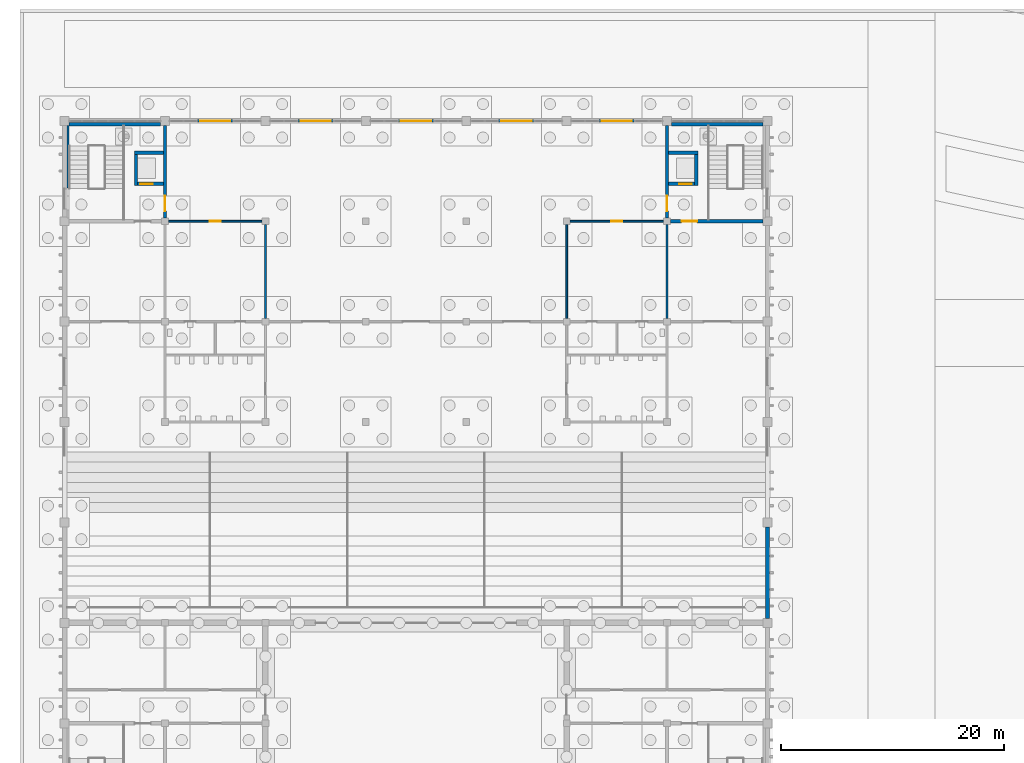
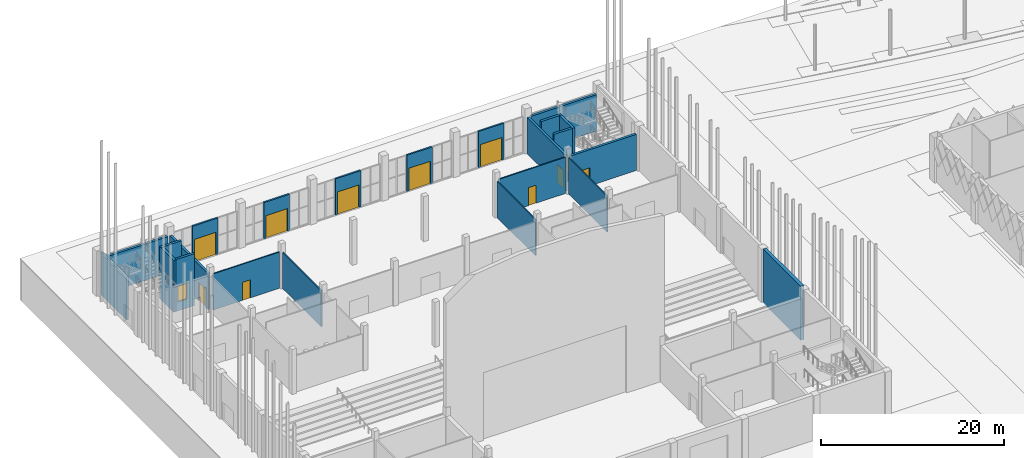
# One storey, part 92 of 198: 23 walls, 12 doors, 12 openings.
"""IFC4 building model written with IfcOpenShell, lengths in metres."""

from ifc_helpers import new_model, si_unit, direction, frame, frame_2d, origin, place, context, subcontext, project, spatial, rectangle, extrude, material, layer, layer_set, type_object, element, fill, save


model = new_model("IFC4")

# Units and contexts
model_context = context("Model", 3, precision=1e-05, world=origin(), true_north=direction((0.0, 1.0)))
body_context = subcontext(model_context, "Body", "Model", "MODEL_VIEW")
ifc_project = project(units=[si_unit("LENGTHUNIT", "METRE"), si_unit("AREAUNIT", "SQUARE_METRE"), si_unit("VOLUMEUNIT", "CUBIC_METRE"), si_unit("PLANEANGLEUNIT", "RADIAN"), si_unit("MASSUNIT", "GRAM", prefix="KILO")], contexts=[model_context])

# Site, building, storey
site_placement = place(None, origin())
site = spatial("IfcSite", under=ifc_project, at=site_placement, CompositionType="ELEMENT")
building_placement = place(site_placement, origin())
building = spatial("IfcBuilding", under=site, at=building_placement, Name="Opaline Strait Convention Centre", CompositionType="ELEMENT")
storey_placement = place(building_placement, origin())
storey = spatial("IfcBuildingStorey", under=building, at=storey_placement, Name="L00", CompositionType="ELEMENT", Elevation=0.0)

# Wall
ifc_material_1 = material(Name="Autoclaved aerated blockwork", Category="masonry")
ifc_layer_1 = layer(ifc_material_1, 0.14990234375)
ifc_layer_set_1 = layer_set([ifc_layer_1], Name="Autoclaved aerated blockwork")
wall_type_1 = type_object("IfcWallType", Name="Blockwork partition 150", PredefinedType="PARTITIONING", material=ifc_layer_set_1)
wall_1_placement = place(storey_placement, frame((27.0, 162.300048828125, 0.0), z_axis=(0.0, 0.0, 1.0), x_axis=(0.0, 1.0, 0.0)))
element("IfcWall", 1, at=wall_1_placement, inside=storey, type_object=wall_type_1, Name="PW11 L00 partition WX27C", PredefinedType="PARTITIONING", context=body_context, shape_type="SweptSolid", body=[
    extrude(rectangle(XDim=8.39990234375, YDim=0.14990234375, at=frame_2d((4.199951171875, 0.0))), origin(), (0.0, 0.0, 1.0), 4.820068359375),
])

# Wall, opening, door
wall_2_placement = place(storey_placement, frame((18.300048828125, 171.0, 0.0), z_axis=(0.0, 0.0, 1.0), x_axis=(1.0, 0.0, 0.0)))
wall_2 = element("IfcWall", 2, at=wall_2_placement, inside=storey, type_object=wall_type_1, Name="PW11 L00 partition WY171C", PredefinedType="PARTITIONING", context=body_context, shape_type="SweptSolid", body=[
    extrude(rectangle(XDim=8.39990234375, YDim=0.14990234375, at=frame_2d((4.199951171875, 0.0))), origin(), (0.0, 0.0, 1.0), 4.820068359375),
])
opening_1_placement = place(wall_2_placement, frame((3.699951171875, 0.0, 0.0)))
opening_1 = element("IfcOpeningElement", 3, at=opening_1_placement, cuts=wall_2, Name="Opening P0-041", PredefinedType="OPENING", context=body_context, shape_type="SweptSolid", body=[
    extrude(rectangle(XDim=1.0, YDim=2.39990234375, at=frame_2d((0.5, 1.199951171875))), frame((0.0, 0.0849609375, 0.0), z_axis=(0.0, -1.0, 0.0), x_axis=(1.0, 0.0, 0.0)), (0.0, 0.0, 1.0), 0.169921875),
])
ifc_material_2 = material(Name="Timber door leaf", Category="wood")
door_type_1 = type_object("IfcDoorType", Name="Door single 1000 x 2400", OperationType="NOTDEFINED", PredefinedType="DOOR", material=ifc_material_2)
door_1_placement = place(opening_1_placement, origin())
door_1 = element("IfcDoor", 4, at=door_1_placement, inside=storey, type_object=door_type_1, Name="Cloakroom door", ObjectType="PD6", OperationType="SINGLE_SWING_LEFT", OverallHeight=2.39990234375, OverallWidth=1.0, PredefinedType="DOOR", context=body_context, shape_type="SweptSolid", body=[
    extrude(rectangle(XDim=1.0, YDim=2.39990234375, at=frame_2d((0.5, 1.199951171875))), frame((0.0, 0.02490234375, 0.0), z_axis=(0.0, -1.0, 0.0), x_axis=(1.0, 0.0, 0.0)), (0.0, 0.0, 1.0), 0.050048828125),
])
fill(opening_1, door_1)

# Walls
for number, where, z_axis, x_axis, name in (
    (5, (63.0, 162.300048828125, 0.0), (0.0, 0.0, 1.0), (0.0, 1.0, 0.0), "PW11 L00 partition EX18C"),
    (6, (54.0, 162.300048828125, 0.0), (0.0, 0.0, 1.0), (0.0, 1.0, 0.0), "PW11 L00 partition EX27C"),
):
    element("IfcWall", number, at=place(storey_placement, frame(where, z_axis=z_axis, x_axis=x_axis)), inside=storey, type_object=wall_type_1, Name=name, PredefinedType="PARTITIONING", context=body_context, shape_type="SweptSolid", body=[
        extrude(rectangle(XDim=8.39990234375, YDim=0.14990234375, at=frame_2d((4.199951171875, 0.0))), origin(), (0.0, 0.0, 1.0), 4.820068359375),
    ])

# Wall, opening, door
wall_3_placement = place(storey_placement, frame((62.699951171875, 171.0, 0.0), z_axis=(0.0, 0.0, 1.0), x_axis=(-1.0, 0.0, 0.0)))
wall_3 = element("IfcWall", 7, at=wall_3_placement, inside=storey, type_object=wall_type_1, Name="PW11 L00 partition EY171C", PredefinedType="PARTITIONING", context=body_context, shape_type="SweptSolid", body=[
    extrude(rectangle(XDim=8.39990234375, YDim=0.14990234375, at=frame_2d((4.199951171875, 0.0))), origin(), (0.0, 0.0, 1.0), 4.820068359375),
])
opening_2_placement = place(wall_3_placement, frame((3.699951171875, 0.0, 0.0)))
opening_2 = element("IfcOpeningElement", 8, at=opening_2_placement, cuts=wall_3, Name="Opening P0-043", PredefinedType="OPENING", context=body_context, shape_type="SweptSolid", body=[
    extrude(rectangle(XDim=1.0, YDim=2.39990234375, at=frame_2d((0.5, 1.199951171875))), frame((0.0, 0.0849609375, 0.0), z_axis=(0.0, -1.0, 0.0), x_axis=(1.0, 0.0, 0.0)), (0.0, 0.0, 1.0), 0.169921875),
])
door_2_placement = place(opening_2_placement, origin())
door_2 = element("IfcDoor", 9, at=door_2_placement, inside=storey, type_object=door_type_1, Name="Cloakroom door", ObjectType="PD6", OperationType="SINGLE_SWING_LEFT", OverallHeight=2.39990234375, OverallWidth=1.0, PredefinedType="DOOR", context=body_context, shape_type="SweptSolid", body=[
    extrude(rectangle(XDim=1.0, YDim=2.39990234375, at=frame_2d((0.5, 1.199951171875))), frame((0.0, 0.02490234375, 0.0), z_axis=(0.0, -1.0, 0.0), x_axis=(1.0, 0.0, 0.0)), (0.0, 0.0, 1.0), 0.050048828125),
])
fill(opening_2, door_2)

ifc_material_3 = material(Name="Aluminium framed glazing", Category="aluminium")
ifc_layer_2 = layer(ifc_material_3, 0.199951171875)
ifc_layer_set_2 = layer_set([ifc_layer_2], Name="Aluminium framed glazing")
wall_type_2 = type_object("IfcWallType", Name="Glazed entrance screen 200", PredefinedType="STANDARD", material=ifc_layer_set_2)
wall_4_placement = place(storey_placement, frame((20.89990234375, 180.0, 0.0), z_axis=(0.0, 0.0, 1.0), x_axis=(1.0, 0.0, 0.0)))
wall_4 = element("IfcWall", 10, at=wall_4_placement, inside=storey, type_object=wall_type_2, Name="PW9 glazed entrance screen 2", PredefinedType="STANDARD", context=body_context, shape_type="SweptSolid", body=[
    extrude(rectangle(XDim=3.2001953125, YDim=0.199951171875, at=frame_2d((1.60009765625, 0.0))), origin(), (0.0, 0.0, 1.0), 4.820068359375),
])
opening_3_placement = place(wall_4_placement, frame((0.25, 0.0, 0.0)))
opening_3 = element("IfcOpeningElement", 11, at=opening_3_placement, cuts=wall_4, Name="Opening P0-012", PredefinedType="OPENING", context=body_context, shape_type="SweptSolid", body=[
    extrude(rectangle(XDim=2.699951171875, YDim=3.0, at=frame_2d((1.35009765625, 1.5))), frame((0.0, 0.10986328125, 0.0), z_axis=(0.0, -1.0, 0.0), x_axis=(1.0, 0.0, 0.0)), (0.0, 0.0, 1.0), 0.219970703125),
])
ifc_material_4 = material(Name="Aluminium framed glazed door", Category="aluminium")
door_type_2 = type_object("IfcDoorType", Name="Exit double door 2700 x 3000", OperationType="DOUBLE_DOOR_SINGLE_SWING", PredefinedType="DOOR", material=ifc_material_4)
door_3_placement = place(opening_3_placement, origin())
door_3 = element("IfcDoor", 12, at=door_3_placement, inside=storey, type_object=door_type_2, Name="North entrance 2", ObjectType="PD1", OperationType="DOUBLE_DOOR_SINGLE_SWING", OverallHeight=3.0, OverallWidth=2.699951171875, PredefinedType="DOOR", context=body_context, shape_type="SweptSolid", body=[
    extrude(rectangle(XDim=2.699951171875, YDim=3.0, at=frame_2d((1.35009765625, 1.5))), frame((0.0, 0.02490234375, 0.0), z_axis=(0.0, -1.0, 0.0), x_axis=(1.0, 0.0, 0.0)), (0.0, 0.0, 1.0), 0.050048828125),
])
fill(opening_3, door_3)

wall_5_placement = place(storey_placement, frame((29.89990234375, 180.0, 0.0), z_axis=(0.0, 0.0, 1.0), x_axis=(1.0, 0.0, 0.0)))
wall_5 = element("IfcWall", 13, at=wall_5_placement, inside=storey, type_object=wall_type_2, Name="PW9 glazed entrance screen 3", PredefinedType="STANDARD", context=body_context, shape_type="SweptSolid", body=[
    extrude(rectangle(XDim=3.2001953125, YDim=0.199951171875, at=frame_2d((1.60009765625, 0.0))), origin(), (0.0, 0.0, 1.0), 4.820068359375),
])
opening_4_placement = place(wall_5_placement, frame((0.25, 0.0, 0.0)))
opening_4 = element("IfcOpeningElement", 14, at=opening_4_placement, cuts=wall_5, Name="Opening P0-013", PredefinedType="OPENING", context=body_context, shape_type="SweptSolid", body=[
    extrude(rectangle(XDim=2.699951171875, YDim=3.0, at=frame_2d((1.35009765625, 1.5))), frame((0.0, 0.10986328125, 0.0), z_axis=(0.0, -1.0, 0.0), x_axis=(1.0, 0.0, 0.0)), (0.0, 0.0, 1.0), 0.219970703125),
])
door_4_placement = place(opening_4_placement, origin())
door_4 = element("IfcDoor", 15, at=door_4_placement, inside=storey, type_object=door_type_2, Name="North entrance 3", ObjectType="PD1", OperationType="DOUBLE_DOOR_SINGLE_SWING", OverallHeight=3.0, OverallWidth=2.699951171875, PredefinedType="DOOR", context=body_context, shape_type="SweptSolid", body=[
    extrude(rectangle(XDim=2.699951171875, YDim=3.0, at=frame_2d((1.35009765625, 1.5))), frame((0.0, 0.02490234375, 0.0), z_axis=(0.0, -1.0, 0.0), x_axis=(1.0, 0.0, 0.0)), (0.0, 0.0, 1.0), 0.050048828125),
])
fill(opening_4, door_4)

wall_6_placement = place(storey_placement, frame((38.89990234375, 180.0, 0.0), z_axis=(0.0, 0.0, 1.0), x_axis=(1.0, 0.0, 0.0)))
wall_6 = element("IfcWall", 16, at=wall_6_placement, inside=storey, type_object=wall_type_2, Name="PW9 glazed entrance screen 4", PredefinedType="STANDARD", context=body_context, shape_type="SweptSolid", body=[
    extrude(rectangle(XDim=3.2001953125, YDim=0.199951171875, at=frame_2d((1.60009765625, 0.0))), origin(), (0.0, 0.0, 1.0), 4.820068359375),
])
opening_5_placement = place(wall_6_placement, frame((0.25, 0.0, 0.0)))
opening_5 = element("IfcOpeningElement", 17, at=opening_5_placement, cuts=wall_6, Name="Opening P0-014", PredefinedType="OPENING", context=body_context, shape_type="SweptSolid", body=[
    extrude(rectangle(XDim=2.699951171875, YDim=3.0, at=frame_2d((1.35009765625, 1.5))), frame((0.0, 0.10986328125, 0.0), z_axis=(0.0, -1.0, 0.0), x_axis=(1.0, 0.0, 0.0)), (0.0, 0.0, 1.0), 0.219970703125),
])
door_5_placement = place(opening_5_placement, origin())
door_5 = element("IfcDoor", 18, at=door_5_placement, inside=storey, type_object=door_type_2, Name="North entrance 4", ObjectType="PD1", OperationType="DOUBLE_DOOR_SINGLE_SWING", OverallHeight=3.0, OverallWidth=2.699951171875, PredefinedType="DOOR", context=body_context, shape_type="SweptSolid", body=[
    extrude(rectangle(XDim=2.699951171875, YDim=3.0, at=frame_2d((1.35009765625, 1.5))), frame((0.0, 0.02490234375, 0.0), z_axis=(0.0, -1.0, 0.0), x_axis=(1.0, 0.0, 0.0)), (0.0, 0.0, 1.0), 0.050048828125),
])
fill(opening_5, door_5)

wall_7_placement = place(storey_placement, frame((47.89990234375, 180.0, 0.0), z_axis=(0.0, 0.0, 1.0), x_axis=(1.0, 0.0, 0.0)))
wall_7 = element("IfcWall", 19, at=wall_7_placement, inside=storey, type_object=wall_type_2, Name="PW9 glazed entrance screen 5", PredefinedType="STANDARD", context=body_context, shape_type="SweptSolid", body=[
    extrude(rectangle(XDim=3.2001953125, YDim=0.199951171875, at=frame_2d((1.60009765625, 0.0))), origin(), (0.0, 0.0, 1.0), 4.820068359375),
])
opening_6_placement = place(wall_7_placement, frame((0.25, 0.0, 0.0)))
opening_6 = element("IfcOpeningElement", 20, at=opening_6_placement, cuts=wall_7, Name="Opening P0-015", PredefinedType="OPENING", context=body_context, shape_type="SweptSolid", body=[
    extrude(rectangle(XDim=2.699951171875, YDim=3.0, at=frame_2d((1.35009765625, 1.5))), frame((0.0, 0.10986328125, 0.0), z_axis=(0.0, -1.0, 0.0), x_axis=(1.0, 0.0, 0.0)), (0.0, 0.0, 1.0), 0.219970703125),
])
door_6_placement = place(opening_6_placement, origin())
door_6 = element("IfcDoor", 21, at=door_6_placement, inside=storey, type_object=door_type_2, Name="North entrance 5", ObjectType="PD1", OperationType="DOUBLE_DOOR_SINGLE_SWING", OverallHeight=3.0, OverallWidth=2.699951171875, PredefinedType="DOOR", context=body_context, shape_type="SweptSolid", body=[
    extrude(rectangle(XDim=2.699951171875, YDim=3.0, at=frame_2d((1.35009765625, 1.5))), frame((0.0, 0.02490234375, 0.0), z_axis=(0.0, -1.0, 0.0), x_axis=(1.0, 0.0, 0.0)), (0.0, 0.0, 1.0), 0.050048828125),
])
fill(opening_6, door_6)

wall_8_placement = place(storey_placement, frame((56.89990234375, 180.0, 0.0), z_axis=(0.0, 0.0, 1.0), x_axis=(1.0, 0.0, 0.0)))
wall_8 = element("IfcWall", 22, at=wall_8_placement, inside=storey, type_object=wall_type_2, Name="PW9 glazed entrance screen 6", PredefinedType="STANDARD", context=body_context, shape_type="SweptSolid", body=[
    extrude(rectangle(XDim=3.2001953125, YDim=0.199951171875, at=frame_2d((1.60009765625, 0.0))), origin(), (0.0, 0.0, 1.0), 4.820068359375),
])
opening_7_placement = place(wall_8_placement, frame((0.25, 0.0, 0.0)))
opening_7 = element("IfcOpeningElement", 23, at=opening_7_placement, cuts=wall_8, Name="Opening P0-016", PredefinedType="OPENING", context=body_context, shape_type="SweptSolid", body=[
    extrude(rectangle(XDim=2.699951171875, YDim=3.0, at=frame_2d((1.35009765625, 1.5))), frame((0.0, 0.10986328125, 0.0), z_axis=(0.0, -1.0, 0.0), x_axis=(1.0, 0.0, 0.0)), (0.0, 0.0, 1.0), 0.219970703125),
])
door_7_placement = place(opening_7_placement, origin())
door_7 = element("IfcDoor", 24, at=door_7_placement, inside=storey, type_object=door_type_2, Name="North entrance 6", ObjectType="PD1", OperationType="DOUBLE_DOOR_SINGLE_SWING", OverallHeight=3.0, OverallWidth=2.699951171875, PredefinedType="DOOR", context=body_context, shape_type="SweptSolid", body=[
    extrude(rectangle(XDim=2.699951171875, YDim=3.0, at=frame_2d((1.35009765625, 1.5))), frame((0.0, 0.02490234375, 0.0), z_axis=(0.0, -1.0, 0.0), x_axis=(1.0, 0.0, 0.0)), (0.0, 0.0, 1.0), 0.050048828125),
])
fill(opening_7, door_7)

# Wall
ifc_material_5 = material(Name="Concrete C40", Category="concrete")
ifc_layer_3 = layer(ifc_material_5, 0.320068359375)
ifc_material_6 = material(Name="Mineral wool insulation")
ifc_layer_4 = layer(ifc_material_6, 0.050048828125)
ifc_material_7 = material(Name="Gypsum board lining")
ifc_layer_5 = layer(ifc_material_7, 0.030029296875)
ifc_layer_set_3 = layer_set([ifc_layer_3, ifc_layer_4, ifc_layer_5], Name="Concrete C40, Mineral wool insulation, Gypsum board lining")
wall_type_3 = type_object("IfcWallType", Name="RC external wall 400 C40", PredefinedType="SOLIDWALL", material=ifc_layer_set_3)
wall_9_placement = place(storey_placement, frame((72.0, 135.39990234375, -1.199951171875), z_axis=(0.0, 0.0, 1.0), x_axis=(0.0, 1.0, 0.0)))
element("IfcWall", 25, at=wall_9_placement, inside=storey, type_object=wall_type_3, Name="PW1 east wall L00 9/R-9/S", PredefinedType="SOLIDWALL", context=body_context, shape_type="SweptSolid", body=[
    extrude(rectangle(XDim=8.2001953125, YDim=0.39990234375, at=frame_2d((4.10009765625, 0.0))), origin(), (0.0, 0.0, 1.0), 7.199951171875),
])

# Wall, opening, door
ifc_layer_6 = layer(ifc_material_5, 0.300048828125)
ifc_layer_set_4 = layer_set([ifc_layer_6], Name="Concrete C40")
wall_type_4 = type_object("IfcWallType", Name="RC stair core wall 300 C40", PredefinedType="SOLIDWALL", material=ifc_layer_set_4)
wall_10_placement = place(storey_placement, frame((18.0, 171.300048828125, 0.0), z_axis=(0.0, 0.0, 1.0), x_axis=(0.0, 1.0, 0.0)))
wall_10 = element("IfcWall", 26, at=wall_10_placement, inside=storey, type_object=wall_type_4, Name="PW13 L00 NW core side wall", PredefinedType="SOLIDWALL", context=body_context, shape_type="SweptSolid", body=[
    extrude(rectangle(XDim=8.300048828125, YDim=0.300048828125, at=frame_2d((4.14990234375, 0.0))), origin(), (0.0, 0.0, 1.0), 4.820068359375),
])
opening_8_placement = place(wall_10_placement, frame((0.60009765625, 0.0, 0.0)))
opening_8 = element("IfcOpeningElement", 27, at=opening_8_placement, cuts=wall_10, Name="Opening P0-020", PredefinedType="OPENING", context=body_context, shape_type="SweptSolid", body=[
    extrude(rectangle(XDim=1.39990234375, YDim=2.39990234375, at=frame_2d((0.699951171875, 1.199951171875))), frame((0.0, 0.159912109375, 0.0), z_axis=(0.0, -1.0, 0.0), x_axis=(1.0, 0.0, 0.0)), (0.0, 0.0, 1.0), 0.320068359375),
])
ifc_material_8 = material(Name="Steel Q235B", Category="steel")
door_type_3 = type_object("IfcDoorType", Name="Fire door FD60 1400 x 2400", OperationType="DOUBLE_DOOR_SINGLE_SWING", PredefinedType="DOOR", material=ifc_material_8)
door_8_placement = place(opening_8_placement, origin())
door_8 = element("IfcDoor", 28, at=door_8_placement, inside=storey, type_object=door_type_3, Name="NW stair core foyer door", ObjectType="PD8", OperationType="SINGLE_SWING_LEFT", OverallHeight=2.39990234375, OverallWidth=1.39990234375, PredefinedType="DOOR", context=body_context, shape_type="SweptSolid", body=[
    extrude(rectangle(XDim=1.39990234375, YDim=2.39990234375, at=frame_2d((0.699951171875, 1.199951171875))), frame((0.0, 0.02490234375, 0.0), z_axis=(0.0, -1.0, 0.0), x_axis=(1.0, 0.0, 0.0)), (0.0, 0.0, 1.0), 0.050048828125),
])
fill(opening_8, door_8)

# Wall
wall_11_placement = place(storey_placement, frame((9.39990234375, 179.699951171875, 0.0), z_axis=(0.0, 0.0, 1.0), x_axis=(1.0, 0.0, 0.0)))
element("IfcWall", 29, at=wall_11_placement, inside=storey, type_object=wall_type_4, Name="PW13 L00 NW core north wall", PredefinedType="SOLIDWALL", context=body_context, shape_type="SweptSolid", body=[
    extrude(rectangle(XDim=8.2001953125, YDim=0.300048828125, at=frame_2d((4.10009765625, 0.0))), origin(), (0.0, 0.0, 1.0), 4.820068359375),
])

# Wall, opening, door
wall_12_placement = place(storey_placement, frame((63.0, 171.300048828125, 0.0), z_axis=(0.0, 0.0, 1.0), x_axis=(0.0, 1.0, 0.0)))
wall_12 = element("IfcWall", 30, at=wall_12_placement, inside=storey, type_object=wall_type_4, Name="PW13 L00 NE core side wall", PredefinedType="SOLIDWALL", context=body_context, shape_type="SweptSolid", body=[
    extrude(rectangle(XDim=8.300048828125, YDim=0.300048828125, at=frame_2d((4.14990234375, 0.0))), origin(), (0.0, 0.0, 1.0), 4.820068359375),
])
opening_9_placement = place(wall_12_placement, frame((0.60009765625, 0.0, 0.0)))
opening_9 = element("IfcOpeningElement", 31, at=opening_9_placement, cuts=wall_12, Name="Opening P0-022", PredefinedType="OPENING", context=body_context, shape_type="SweptSolid", body=[
    extrude(rectangle(XDim=1.39990234375, YDim=2.39990234375, at=frame_2d((0.699951171875, 1.199951171875))), frame((0.0, 0.159912109375, 0.0), z_axis=(0.0, -1.0, 0.0), x_axis=(1.0, 0.0, 0.0)), (0.0, 0.0, 1.0), 0.320068359375),
])
door_9_placement = place(opening_9_placement, origin())
door_9 = element("IfcDoor", 32, at=door_9_placement, inside=storey, type_object=door_type_3, Name="NE stair core foyer door", ObjectType="PD8", OperationType="SINGLE_SWING_LEFT", OverallHeight=2.39990234375, OverallWidth=1.39990234375, PredefinedType="DOOR", context=body_context, shape_type="SweptSolid", body=[
    extrude(rectangle(XDim=1.39990234375, YDim=2.39990234375, at=frame_2d((0.699951171875, 1.199951171875))), frame((0.0, 0.02490234375, 0.0), z_axis=(0.0, -1.0, 0.0), x_axis=(1.0, 0.0, 0.0)), (0.0, 0.0, 1.0), 0.050048828125),
])
fill(opening_9, door_9)

wall_13_placement = place(storey_placement, frame((63.300048828125, 171.0, 0.0), z_axis=(0.0, 0.0, 1.0), x_axis=(1.0, 0.0, 0.0)))
wall_13 = element("IfcWall", 33, at=wall_13_placement, inside=storey, type_object=wall_type_4, Name="PW13 L00 NE core cross wall", PredefinedType="SOLIDWALL", context=body_context, shape_type="SweptSolid", body=[
    extrude(rectangle(XDim=8.300048828125, YDim=0.300048828125, at=frame_2d((4.14990234375, 0.0))), origin(), (0.0, 0.0, 1.0), 4.820068359375),
])
opening_10_placement = place(wall_13_placement, frame((1.0, 0.0, 0.0)))
opening_10 = element("IfcOpeningElement", 34, at=opening_10_placement, cuts=wall_13, Name="Opening P0-021", PredefinedType="OPENING", context=body_context, shape_type="SweptSolid", body=[
    extrude(rectangle(XDim=1.39990234375, YDim=2.39990234375, at=frame_2d((0.699951171875, 1.199951171875))), frame((0.0, 0.159912109375, 0.0), z_axis=(0.0, -1.0, 0.0), x_axis=(1.0, 0.0, 0.0)), (0.0, 0.0, 1.0), 0.320068359375),
])
door_10_placement = place(opening_10_placement, origin())
door_10 = element("IfcDoor", 35, at=door_10_placement, inside=storey, type_object=door_type_3, Name="NE stair core door", ObjectType="PD8", OperationType="SINGLE_SWING_LEFT", OverallHeight=2.39990234375, OverallWidth=1.39990234375, PredefinedType="DOOR", context=body_context, shape_type="SweptSolid", body=[
    extrude(rectangle(XDim=1.39990234375, YDim=2.39990234375, at=frame_2d((0.699951171875, 1.199951171875))), frame((0.0, 0.02490234375, 0.0), z_axis=(0.0, -1.0, 0.0), x_axis=(1.0, 0.0, 0.0)), (0.0, 0.0, 1.0), 0.050048828125),
])
fill(opening_10, door_10)

# Walls
wall_14_placement = place(storey_placement, frame((63.39990234375, 179.699951171875, 0.0), z_axis=(0.0, 0.0, 1.0), x_axis=(1.0, 0.0, 0.0)))
element("IfcWall", 36, at=wall_14_placement, inside=storey, type_object=wall_type_4, Name="PW13 L00 NE core north wall", PredefinedType="SOLIDWALL", context=body_context, shape_type="SweptSolid", body=[
    extrude(rectangle(XDim=8.2001953125, YDim=0.300048828125, at=frame_2d((4.10009765625, 0.0))), origin(), (0.0, 0.0, 1.0), 4.820068359375),
])
wall_15_placement = place(storey_placement, frame((15.39990234375, 174.199951171875, -1.199951171875), z_axis=(0.0, 0.0, 1.0), x_axis=(0.0, 1.0, 0.0)))
element("IfcWall", 37, at=wall_15_placement, inside=storey, type_object=wall_type_4, Name="PW13 L00 NW lift shaft wall", PredefinedType="SOLIDWALL", context=body_context, shape_type="SweptSolid", body=[
    extrude(rectangle(XDim=3.10009765625, YDim=0.300048828125, at=frame_2d((1.550048828125, 0.0))), origin(), (0.0, 0.0, 1.0), 6.919921875),
])

# Wall, opening, door
wall_16_placement = place(storey_placement, frame((15.25, 174.35009765625, -1.199951171875), z_axis=(0.0, 0.0, 1.0), x_axis=(1.0, 0.0, 0.0)))
wall_16 = element("IfcWall", 38, at=wall_16_placement, inside=storey, type_object=wall_type_4, Name="PW13 L00 NW lift lobby wall", PredefinedType="SOLIDWALL", context=body_context, shape_type="SweptSolid", body=[
    extrude(rectangle(XDim=2.60009765625, YDim=0.300048828125, at=frame_2d((1.300048828125, 0.0))), origin(), (0.0, 0.0, 1.0), 6.919921875),
])
opening_11_placement = place(wall_16_placement, frame((0.550048828125, 0.0, 1.199951171875)))
opening_11 = element("IfcOpeningElement", 39, at=opening_11_placement, cuts=wall_16, Name="Opening P0-044", PredefinedType="OPENING", context=body_context, shape_type="SweptSolid", body=[
    extrude(rectangle(XDim=1.10009765625, YDim=2.10009765625, at=frame_2d((0.550048828125, 1.050048828125))), frame((0.0, 0.159912109375, 0.0), z_axis=(0.0, -1.0, 0.0), x_axis=(1.0, 0.0, 0.0)), (0.0, 0.0, 1.0), 0.320068359375),
])
ifc_material_9 = material(Name="Stainless steel 304", Category="steel")
door_type_4 = type_object("IfcDoorType", Name="Lift landing door 1100 x 2100", OperationType="SLIDING_TO_LEFT", PredefinedType="DOOR", material=ifc_material_9)
door_11_placement = place(opening_11_placement, origin())
door_11 = element("IfcDoor", 40, at=door_11_placement, inside=storey, type_object=door_type_4, Name="Lift landing door NW L00", ObjectType="PD10", OperationType="SLIDING_TO_LEFT", OverallHeight=2.10009765625, OverallWidth=1.10009765625, PredefinedType="DOOR", context=body_context, shape_type="SweptSolid", body=[
    extrude(rectangle(XDim=1.10009765625, YDim=2.10009765625, at=frame_2d((0.550048828125, 1.050048828125))), frame((0.0, 0.02490234375, 0.0), z_axis=(0.0, -1.0, 0.0), x_axis=(1.0, 0.0, 0.0)), (0.0, 0.0, 1.0), 0.050048828125),
])
fill(opening_11, door_11)

# Walls
wall_17_placement = place(storey_placement, frame((15.25, 177.14990234375, -1.199951171875), z_axis=(0.0, 0.0, 1.0), x_axis=(1.0, 0.0, 0.0)))
element("IfcWall", 41, at=wall_17_placement, inside=storey, type_object=wall_type_4, Name="PW13 L00 NW lift back wall", PredefinedType="SOLIDWALL", context=body_context, shape_type="SweptSolid", body=[
    extrude(rectangle(XDim=2.60009765625, YDim=0.300048828125, at=frame_2d((1.300048828125, 0.0))), origin(), (0.0, 0.0, 1.0), 6.919921875),
])
wall_18_placement = place(storey_placement, frame((65.60009765625, 174.199951171875, -1.199951171875), z_axis=(0.0, 0.0, 1.0), x_axis=(0.0, 1.0, 0.0)))
element("IfcWall", 42, at=wall_18_placement, inside=storey, type_object=wall_type_4, Name="PW13 L00 NE lift shaft wall", PredefinedType="SOLIDWALL", context=body_context, shape_type="SweptSolid", body=[
    extrude(rectangle(XDim=3.10009765625, YDim=0.300048828125, at=frame_2d((1.550048828125, 0.0))), origin(), (0.0, 0.0, 1.0), 6.919921875),
])

# Wall, opening, door
wall_19_placement = place(storey_placement, frame((63.14990234375, 174.35009765625, -1.199951171875), z_axis=(0.0, 0.0, 1.0), x_axis=(1.0, 0.0, 0.0)))
wall_19 = element("IfcWall", 43, at=wall_19_placement, inside=storey, type_object=wall_type_4, Name="PW13 L00 NE lift lobby wall", PredefinedType="SOLIDWALL", context=body_context, shape_type="SweptSolid", body=[
    extrude(rectangle(XDim=2.60009765625, YDim=0.300048828125, at=frame_2d((1.300048828125, 0.0))), origin(), (0.0, 0.0, 1.0), 6.919921875),
])
opening_12_placement = place(wall_19_placement, frame((0.949951171875, 0.0, 1.199951171875)))
opening_12 = element("IfcOpeningElement", 44, at=opening_12_placement, cuts=wall_19, Name="Opening P0-045", PredefinedType="OPENING", context=body_context, shape_type="SweptSolid", body=[
    extrude(rectangle(XDim=1.10009765625, YDim=2.10009765625, at=frame_2d((0.550048828125, 1.050048828125))), frame((0.0, 0.159912109375, 0.0), z_axis=(0.0, -1.0, 0.0), x_axis=(1.0, 0.0, 0.0)), (0.0, 0.0, 1.0), 0.320068359375),
])
door_12_placement = place(opening_12_placement, origin())
door_12 = element("IfcDoor", 45, at=door_12_placement, inside=storey, type_object=door_type_4, Name="Lift landing door NE L00", ObjectType="PD10", OperationType="SLIDING_TO_LEFT", OverallHeight=2.10009765625, OverallWidth=1.10009765625, PredefinedType="DOOR", context=body_context, shape_type="SweptSolid", body=[
    extrude(rectangle(XDim=1.10009765625, YDim=2.10009765625, at=frame_2d((0.550048828125, 1.050048828125))), frame((0.0, 0.02490234375, 0.0), z_axis=(0.0, -1.0, 0.0), x_axis=(1.0, 0.0, 0.0)), (0.0, 0.0, 1.0), 0.050048828125),
])
fill(opening_12, door_12)

# Walls
wall_20_placement = place(storey_placement, frame((63.14990234375, 177.14990234375, -1.199951171875), z_axis=(0.0, 0.0, 1.0), x_axis=(1.0, 0.0, 0.0)))
element("IfcWall", 46, at=wall_20_placement, inside=storey, type_object=wall_type_4, Name="PW13 L00 NE lift back wall", PredefinedType="SOLIDWALL", context=body_context, shape_type="SweptSolid", body=[
    extrude(rectangle(XDim=2.60009765625, YDim=0.300048828125, at=frame_2d((1.300048828125, 0.0))), origin(), (0.0, 0.0, 1.0), 6.919921875),
])
ifc_layer_7 = layer(ifc_material_5, 0.199951171875)
ifc_layer_set_5 = layer_set([ifc_layer_7], Name="Concrete C40")
wall_type_5 = type_object("IfcWallType", Name="RC stair lining wall 200 C40", PredefinedType="SOLIDWALL", material=ifc_layer_set_5)
wall_21_placement = place(storey_placement, frame((9.300048828125, 174.0, 0.0), z_axis=(0.0, 0.0, 1.0), x_axis=(0.0, 1.0, 0.0)))
element("IfcWall", 47, at=wall_21_placement, inside=storey, type_object=wall_type_5, Name="PW14 L00 NW stair lining wall 2", PredefinedType="SOLIDWALL", context=body_context, shape_type="SweptSolid", body=[
    extrude(rectangle(XDim=5.60009765625, YDim=0.199951171875, at=frame_2d((2.800048828125, 0.0))), origin(), (0.0, 0.0, 1.0), 5.719970703125),
])

save(model, "model.ifc")
